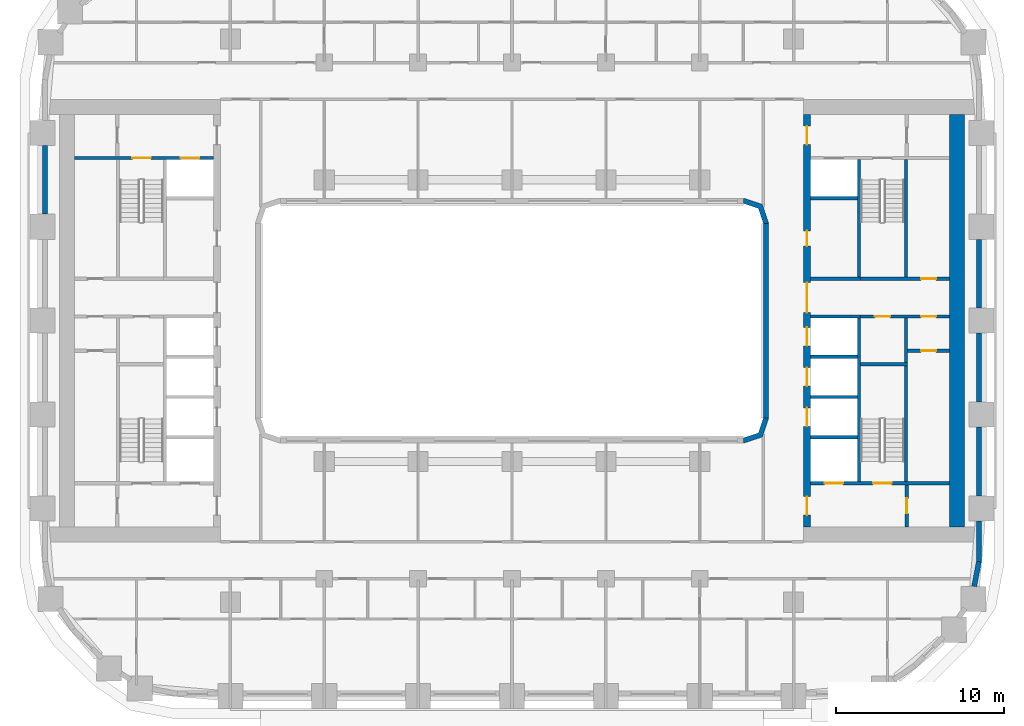
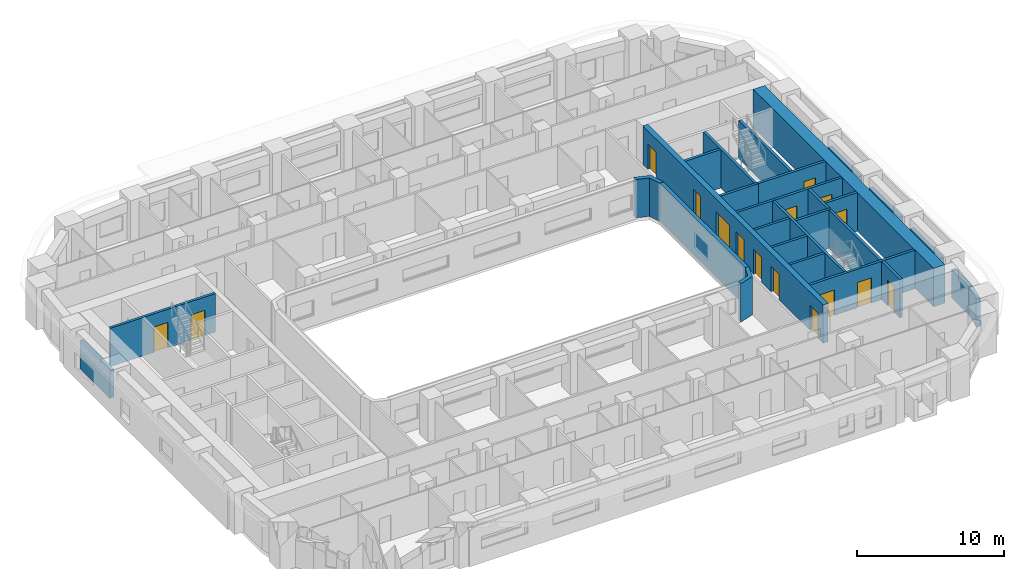
# One storey, part 6 of 21: 29 walls, 16 doors, 16 openings.
"""IFC4 building model written with IfcOpenShell, lengths in metres."""

from ifc_helpers import new_model, si_unit, direction, frame, frame_2d, origin, place, context, subcontext, project, spatial, polyline, rectangle, outline, extrude, material, layer, layer_set, type_object, element, fill, save


model = new_model("IFC4")

# Units and contexts
model_context = context("Model", 3, precision=1e-05, world=origin(), true_north=direction((0.0, 1.0)))
body_context = subcontext(model_context, "Body", "Model", "MODEL_VIEW")
ifc_project = project(units=[si_unit("LENGTHUNIT", "METRE"), si_unit("AREAUNIT", "SQUARE_METRE"), si_unit("VOLUMEUNIT", "CUBIC_METRE"), si_unit("PLANEANGLEUNIT", "RADIAN"), si_unit("MASSUNIT", "GRAM", prefix="KILO")], contexts=[model_context])

# Site, building, storey
site_placement = place(None, origin())
site = spatial("IfcSite", under=ifc_project, at=site_placement, CompositionType="ELEMENT")
building_placement = place(site_placement, origin())
building = spatial("IfcBuilding", under=site, at=building_placement, Name="Kiln Ring Residences", CompositionType="ELEMENT")
storey_placement = place(building_placement, frame((0.0, 0.0, 34.0)))
storey = spatial("IfcBuildingStorey", under=building, at=storey_placement, Name="L07", CompositionType="ELEMENT", Elevation=34.0)

# Wall
ifc_material_1 = material(Name="Gypsum board on steel studs", Category="steel")
ifc_layer_1 = layer(ifc_material_1, 0.199951171875)
ifc_layer_set_1 = layer_set([ifc_layer_1], Name="CORE-PARTITION-200")
wall_type_1 = type_object("IfcWallType", Name="CORE-PARTITION-200", PredefinedType="PARTITIONING", material=ifc_layer_set_1)
wall_1_placement = place(storey_placement, frame((23.5, -2.5, 0.0), z_axis=(0.0, 0.0, 1.0), x_axis=(0.0, 1.0, 0.0)))
element("IfcWall", 1, at=wall_1_placement, inside=storey, type_object=wall_type_1, Name="Core partition east L07 1", PredefinedType="PARTITIONING", context=body_context, shape_type="SweptSolid", body=[
    extrude(rectangle(XDim=2.64990234375, YDim=0.199951171875, at=frame_2d((1.324951171875, 0.0))), origin(), (0.0, 0.0, 1.0), 3.199951171875),
])

# Wall, openings, doors
wall_2_placement = place(storey_placement, frame((20.800048828125, 0.25, 0.0), z_axis=(0.0, 0.0, 1.0), x_axis=(1.0, 0.0, 0.0)))
wall_2 = element("IfcWall", 2, at=wall_2_placement, inside=storey, type_object=wall_type_1, Name="Core partition east L07 2", PredefinedType="PARTITIONING", context=body_context, shape_type="SweptSolid", body=[
    extrude(rectangle(XDim=5.300048828125, YDim=0.199951171875, at=frame_2d((2.64990234375, 0.0))), origin(), (0.0, 0.0, 1.0), 3.199951171875),
])
opening_1_placement = place(wall_2_placement, frame((0.85009765625, 0.0, 0.0)))
opening_1 = element("IfcOpeningElement", 3, at=opening_1_placement, cuts=wall_2, Name="Opening L07-CE14", PredefinedType="OPENING", context=body_context, shape_type="SweptSolid", body=[
    extrude(rectangle(XDim=0.89990234375, YDim=2.10009765625, at=frame_2d((0.449951171875, 1.050048828125))), frame((0.0, 0.10986328125, 0.0), z_axis=(0.0, -1.0, 0.0), x_axis=(1.0, 0.0, 0.0)), (0.0, 0.0, 1.0), 0.219970703125),
])
opening_2_placement = place(wall_2_placement, frame((3.60009765625, 0.0, 0.0)))
opening_2 = element("IfcOpeningElement", 4, at=opening_2_placement, cuts=wall_2, Name="Opening L07-CE16", PredefinedType="OPENING", context=body_context, shape_type="SweptSolid", body=[
    extrude(rectangle(XDim=0.89990234375, YDim=2.10009765625, at=frame_2d((0.449951171875, 1.050048828125))), frame((0.0, 0.10986328125, 0.0), z_axis=(0.0, -1.0, 0.0), x_axis=(1.0, 0.0, 0.0)), (0.0, 0.0, 1.0), 0.219970703125),
])
ifc_material_2 = material(Name="Steel door leaf", Category="steel")
door_type_1 = type_object("IfcDoorType", Name="CORE-DOOR-ROOM", OperationType="SINGLE_SWING_LEFT", PredefinedType="DOOR", material=ifc_material_2)
door_1_placement = place(opening_1_placement, origin())
door_1 = element("IfcDoor", 5, at=door_1_placement, inside=storey, type_object=door_type_1, Name="Linen store L07-CE14", OperationType="SINGLE_SWING_LEFT", OverallHeight=2.10009765625, OverallWidth=0.89990234375, PredefinedType="DOOR", context=body_context, shape_type="SweptSolid", body=[
    extrude(rectangle(XDim=0.89990234375, YDim=2.10009765625, at=frame_2d((0.449951171875, 1.050048828125))), frame((0.0, 0.02490234375, 0.0), z_axis=(0.0, -1.0, 0.0), x_axis=(1.0, 0.0, 0.0)), (0.0, 0.0, 1.0), 0.050048828125),
])
fill(opening_1, door_1)
door_2_placement = place(opening_2_placement, origin())
door_2 = element("IfcDoor", 6, at=door_2_placement, inside=storey, type_object=door_type_1, Name="Pump and valve room L07-CE16", OperationType="SINGLE_SWING_LEFT", OverallHeight=2.10009765625, OverallWidth=0.89990234375, PredefinedType="DOOR", context=body_context, shape_type="SweptSolid", body=[
    extrude(rectangle(XDim=0.89990234375, YDim=2.10009765625, at=frame_2d((0.449951171875, 1.050048828125))), frame((0.0, 0.02490234375, 0.0), z_axis=(0.0, -1.0, 0.0), x_axis=(1.0, 0.0, 0.0)), (0.0, 0.0, 1.0), 0.050048828125),
])
fill(opening_2, door_2)

# Wall, opening, door
wall_3_placement = place(storey_placement, frame((23.550048828125, -12.300048828125, 0.0), z_axis=(0.0, 0.0, 1.0), x_axis=(0.0, 1.0, 0.0)))
wall_3 = element("IfcWall", 7, at=wall_3_placement, inside=storey, type_object=wall_type_1, Name="Core partition east L07 4", PredefinedType="PARTITIONING", context=body_context, shape_type="SweptSolid", body=[
    extrude(rectangle(XDim=2.5, YDim=0.199951171875, at=frame_2d((1.25, 0.0))), origin(), (0.0, 0.0, 1.0), 3.199951171875),
])
opening_3_placement = place(wall_3_placement, frame((0.800048828125, 0.0, 0.0)))
opening_3 = element("IfcOpeningElement", 8, at=opening_3_placement, cuts=wall_3, Name="Opening L07-CE10", PredefinedType="OPENING", context=body_context, shape_type="SweptSolid", body=[
    extrude(rectangle(XDim=0.89990234375, YDim=2.10009765625, at=frame_2d((0.449951171875, 1.050048828125))), frame((0.0, 0.10986328125, 0.0), z_axis=(0.0, -1.0, 0.0), x_axis=(1.0, 0.0, 0.0)), (0.0, 0.0, 1.0), 0.219970703125),
])
door_3_placement = place(opening_3_placement, origin())
door_3 = element("IfcDoor", 9, at=door_3_placement, inside=storey, type_object=door_type_1, Name="Store L07-CE10", OperationType="SINGLE_SWING_LEFT", OverallHeight=2.10009765625, OverallWidth=0.89990234375, PredefinedType="DOOR", context=body_context, shape_type="SweptSolid", body=[
    extrude(rectangle(XDim=0.89990234375, YDim=2.10009765625, at=frame_2d((0.449951171875, 1.050048828125))), frame((0.0, 0.02490234375, 0.0), z_axis=(0.0, -1.0, 0.0), x_axis=(1.0, 0.0, 0.0)), (0.0, 0.0, 1.0), 0.050048828125),
])
fill(opening_3, door_3)

wall_4_placement = place(storey_placement, frame((23.60009765625, -1.800048828125, 0.0), z_axis=(0.0, 0.0, 1.0), x_axis=(1.0, 0.0, 0.0)))
wall_4 = element("IfcWall", 10, at=wall_4_placement, inside=storey, type_object=wall_type_1, Name="Core partition east L07 5", PredefinedType="PARTITIONING", context=body_context, shape_type="SweptSolid", body=[
    extrude(rectangle(XDim=2.5, YDim=0.199951171875, at=frame_2d((1.25, 0.0))), origin(), (0.0, 0.0, 1.0), 3.199951171875),
])
opening_4_placement = place(wall_4_placement, frame((0.800048828125, 0.0, 0.0)))
opening_4 = element("IfcOpeningElement", 11, at=opening_4_placement, cuts=wall_4, Name="Opening L07-CE15", PredefinedType="OPENING", context=body_context, shape_type="SweptSolid", body=[
    extrude(rectangle(XDim=0.89990234375, YDim=2.10009765625, at=frame_2d((0.449951171875, 1.050048828125))), frame((0.0, 0.10986328125, 0.0), z_axis=(0.0, -1.0, 0.0), x_axis=(1.0, 0.0, 0.0)), (0.0, 0.0, 1.0), 0.219970703125),
])
door_4_placement = place(opening_4_placement, origin())
door_4 = element("IfcDoor", 12, at=door_4_placement, inside=storey, type_object=door_type_1, Name="Pump and valve room L07-CE15", OperationType="SINGLE_SWING_LEFT", OverallHeight=2.10009765625, OverallWidth=0.89990234375, PredefinedType="DOOR", context=body_context, shape_type="SweptSolid", body=[
    extrude(rectangle(XDim=0.89990234375, YDim=2.10009765625, at=frame_2d((0.449951171875, 1.050048828125))), frame((0.0, 0.02490234375, 0.0), z_axis=(0.0, -1.0, 0.0), x_axis=(1.0, 0.0, 0.0)), (0.0, 0.0, 1.0), 0.050048828125),
])
fill(opening_4, door_4)

# Walls
ifc_material_3 = material(Name="Gypsum shaft wall system")
ifc_layer_2 = layer(ifc_material_3, 0.199951171875)
ifc_layer_set_2 = layer_set([ifc_layer_2], Name="CORE-SHAFT-WALL-200")
wall_type_2 = type_object("IfcWallType", Name="CORE-SHAFT-WALL-200", PredefinedType="PARTITIONING", material=ifc_layer_set_2)
for number, where, z_axis, x_axis, name in (
    (13, (17.800048828125, -6.949951171875, 0.0), (0.0, 0.0, 1.0), (1.0, 0.0, 0.0), "Core partition east L07 6"),
    (14, (17.800048828125, -4.550048828125, 0.0), (0.0, 0.0, 1.0), (1.0, 0.0, 0.0), "Core partition east L07 7"),
    (15, (17.800048828125, -2.14990234375, 0.0), (0.0, 0.0, 1.0), (1.0, 0.0, 0.0), "Core partition east L07 8"),
):
    element("IfcWall", number, at=place(storey_placement, frame(where, z_axis=z_axis, x_axis=x_axis)), inside=storey, type_object=wall_type_2, Name=name, PredefinedType="PARTITIONING", context=body_context, shape_type="SweptSolid", body=[
        extrude(rectangle(XDim=2.800048828125, YDim=0.199951171875, at=frame_2d((1.39990234375, 0.0))), origin(), (0.0, 0.0, 1.0), 3.199951171875),
    ])
for number, where, z_axis, x_axis, name in (
    (16, (17.800048828125, 0.25, 0.0), (0.0, 0.0, 1.0), (1.0, 0.0, 0.0), "Core partition east L07 9"),
    (17, (17.800048828125, 2.5, 0.0), (0.0, 0.0, 1.0), (1.0, 0.0, 0.0), "Core partition east L07 10"),
):
    element("IfcWall", number, at=place(storey_placement, frame(where, z_axis=z_axis, x_axis=x_axis)), inside=storey, type_object=wall_type_2, Name=name, PredefinedType="PARTITIONING", context=body_context, shape_type="SweptSolid", body=[
        extrude(rectangle(XDim=3.0, YDim=0.199951171875, at=frame_2d((1.5, 0.0))), origin(), (0.0, 0.0, 1.0), 3.199951171875),
    ])
wall_5_placement = place(storey_placement, frame((17.800048828125, 7.300048828125, 0.0), z_axis=(0.0, 0.0, 1.0), x_axis=(1.0, 0.0, 0.0)))
element("IfcWall", 18, at=wall_5_placement, inside=storey, type_object=wall_type_2, Name="Core partition east L07 11", PredefinedType="PARTITIONING", context=body_context, shape_type="SweptSolid", body=[
    extrude(rectangle(XDim=2.800048828125, YDim=0.199951171875, at=frame_2d((1.39990234375, 0.0))), origin(), (0.0, 0.0, 1.0), 3.199951171875),
])

# Wall, openings, doors
ifc_material_4 = material(Name="Concrete C40/50", Category="concrete")
ifc_layer_3 = layer(ifc_material_4, 0.199951171875)
ifc_layer_set_3 = layer_set([ifc_layer_3], Name="CORE-WALL-RC200")
wall_type_3 = type_object("IfcWallType", Name="CORE-WALL-RC200", PredefinedType="SHEAR", material=ifc_layer_set_3)
wall_6_placement = place(storey_placement, frame((-17.800048828125, 9.699951171875, 0.0), z_axis=(0.0, 0.0, 1.0), x_axis=(-1.0, 0.0, 0.0)))
wall_6 = element("IfcWall", 19, at=wall_6_placement, inside=storey, type_object=wall_type_3, Name="Core wall west L07 9", PredefinedType="SHEAR", context=body_context, shape_type="SweptSolid", body=[
    extrude(rectangle(XDim=8.300048828125, YDim=0.199951171875, at=frame_2d((4.14990234375, 0.0))), origin(), (0.0, 0.0, 1.0), 3.199951171875),
])
opening_5_placement = place(wall_6_placement, frame((0.85009765625, 0.0, 0.0)))
opening_5 = element("IfcOpeningElement", 20, at=opening_5_placement, cuts=wall_6, Name="Opening L07-CW06", PredefinedType="OPENING", context=body_context, shape_type="SweptSolid", body=[
    extrude(rectangle(XDim=1.10009765625, YDim=2.10009765625, at=frame_2d((0.550048828125, 1.050048828125))), frame((0.0, 0.10986328125, 0.0), z_axis=(0.0, -1.0, 0.0), x_axis=(1.0, 0.0, 0.0)), (0.0, 0.0, 1.0), 0.219970703125),
])
opening_6_placement = place(wall_6_placement, frame((3.75, 0.0, 0.0)))
opening_6 = element("IfcOpeningElement", 21, at=opening_6_placement, cuts=wall_6, Name="Opening L07-CW11", PredefinedType="OPENING", context=body_context, shape_type="SweptSolid", body=[
    extrude(rectangle(XDim=1.10009765625, YDim=2.10009765625, at=frame_2d((0.550048828125, 1.050048828125))), frame((0.0, 0.10986328125, 0.0), z_axis=(0.0, -1.0, 0.0), x_axis=(1.0, 0.0, 0.0)), (0.0, 0.0, 1.0), 0.219970703125),
])
ifc_material_5 = material(Name="Steel door leaf", Category="steel")
door_type_2 = type_object("IfcDoorType", Name="CORE-DOOR-LD", OperationType="DOUBLE_DOOR_SLIDING", PredefinedType="DOOR", material=ifc_material_5)
door_5_placement = place(opening_5_placement, origin())
door_5 = element("IfcDoor", 22, at=door_5_placement, inside=storey, type_object=door_type_2, Name="LD W-FF L07-CW06", OperationType="DOUBLE_DOOR_SLIDING", OverallHeight=2.10009765625, OverallWidth=1.10009765625, PredefinedType="DOOR", context=body_context, shape_type="SweptSolid", body=[
    extrude(rectangle(XDim=1.10009765625, YDim=2.10009765625, at=frame_2d((0.550048828125, 1.050048828125))), frame((0.0, 0.02490234375, 0.0), z_axis=(0.0, -1.0, 0.0), x_axis=(1.0, 0.0, 0.0)), (0.0, 0.0, 1.0), 0.050048828125),
])
fill(opening_5, door_5)
ifc_material_6 = material(Name="Steel door leaf", Category="steel")
door_type_3 = type_object("IfcDoorType", Name="CORE-DOOR-STAIR", OperationType="SINGLE_SWING_LEFT", PredefinedType="DOOR", material=ifc_material_6)
door_6_placement = place(opening_6_placement, origin())
door_6 = element("IfcDoor", 23, at=door_6_placement, inside=storey, type_object=door_type_3, Name="Stair W-STN L07-CW11", OperationType="SINGLE_SWING_LEFT", OverallHeight=2.10009765625, OverallWidth=1.10009765625, PredefinedType="DOOR", context=body_context, shape_type="SweptSolid", body=[
    extrude(rectangle(XDim=1.10009765625, YDim=2.10009765625, at=frame_2d((0.550048828125, 1.050048828125))), frame((0.0, 0.02490234375, 0.0), z_axis=(0.0, -1.0, 0.0), x_axis=(1.0, 0.0, 0.0)), (0.0, 0.0, 1.0), 0.050048828125),
])
fill(opening_6, door_6)

# Walls
wall_7_placement = place(storey_placement, frame((20.699951171875, 2.60009765625, 0.0), z_axis=(0.0, 0.0, 1.0), x_axis=(0.0, 1.0, 0.0)))
element("IfcWall", 24, at=wall_7_placement, inside=storey, type_object=wall_type_3, Name="Core wall east L07 1", PredefinedType="SHEAR", context=body_context, shape_type="SweptSolid", body=[
    extrude(rectangle(XDim=7.0, YDim=0.199951171875, at=frame_2d((3.5, 0.0))), origin(), (0.0, 0.0, 1.0), 3.199951171875),
])
wall_8_placement = place(storey_placement, frame((20.699951171875, -9.60009765625, 0.0), z_axis=(0.0, 0.0, 1.0), x_axis=(0.0, 1.0, 0.0)))
element("IfcWall", 25, at=wall_8_placement, inside=storey, type_object=wall_type_3, Name="Core wall east L07 2", PredefinedType="SHEAR", context=body_context, shape_type="SweptSolid", body=[
    extrude(rectangle(XDim=9.75, YDim=0.199951171875, at=frame_2d((4.875, 0.0))), origin(), (0.0, 0.0, 1.0), 3.199951171875),
])

# Wall, opening, door
wall_9_placement = place(storey_placement, frame((20.800048828125, 2.5, 0.0), z_axis=(0.0, 0.0, 1.0), x_axis=(1.0, 0.0, 0.0)))
wall_9 = element("IfcWall", 26, at=wall_9_placement, inside=storey, type_object=wall_type_3, Name="Core wall east L07 3", PredefinedType="SHEAR", context=body_context, shape_type="SweptSolid", body=[
    extrude(rectangle(XDim=5.300048828125, YDim=0.199951171875, at=frame_2d((2.64990234375, 0.0))), origin(), (0.0, 0.0, 1.0), 3.199951171875),
])
opening_7_placement = place(wall_9_placement, frame((3.60009765625, 0.0, 0.0)))
opening_7 = element("IfcOpeningElement", 27, at=opening_7_placement, cuts=wall_9, Name="Opening L07-CE17", PredefinedType="OPENING", context=body_context, shape_type="SweptSolid", body=[
    extrude(rectangle(XDim=0.89990234375, YDim=2.10009765625, at=frame_2d((0.449951171875, 1.050048828125))), frame((0.0, 0.10986328125, 0.0), z_axis=(0.0, -1.0, 0.0), x_axis=(1.0, 0.0, 0.0)), (0.0, 0.0, 1.0), 0.219970703125),
])
door_7_placement = place(opening_7_placement, origin())
door_7 = element("IfcDoor", 28, at=door_7_placement, inside=storey, type_object=door_type_1, Name="Electrical plant room L07-CE17", OperationType="SINGLE_SWING_LEFT", OverallHeight=2.10009765625, OverallWidth=0.89990234375, PredefinedType="DOOR", context=body_context, shape_type="SweptSolid", body=[
    extrude(rectangle(XDim=0.89990234375, YDim=2.10009765625, at=frame_2d((0.449951171875, 1.050048828125))), frame((0.0, 0.02490234375, 0.0), z_axis=(0.0, -1.0, 0.0), x_axis=(1.0, 0.0, 0.0)), (0.0, 0.0, 1.0), 0.050048828125),
])
fill(opening_7, door_7)

# Wall, openings, doors
wall_10_placement = place(storey_placement, frame((17.800048828125, -9.699951171875, 0.0), z_axis=(0.0, 0.0, 1.0), x_axis=(1.0, 0.0, 0.0)))
wall_10 = element("IfcWall", 29, at=wall_10_placement, inside=storey, type_object=wall_type_3, Name="Core wall east L07 8", PredefinedType="SHEAR", context=body_context, shape_type="SweptSolid", body=[
    extrude(rectangle(XDim=8.300048828125, YDim=0.199951171875, at=frame_2d((4.14990234375, 0.0))), origin(), (0.0, 0.0, 1.0), 3.199951171875),
])
opening_8_placement = place(wall_10_placement, frame((0.85009765625, 0.0, 0.0)))
opening_8 = element("IfcOpeningElement", 30, at=opening_8_placement, cuts=wall_10, Name="Opening L07-CE01", PredefinedType="OPENING", context=body_context, shape_type="SweptSolid", body=[
    extrude(rectangle(XDim=1.10009765625, YDim=2.10009765625, at=frame_2d((0.550048828125, 1.050048828125))), frame((0.0, 0.10986328125, 0.0), z_axis=(0.0, -1.0, 0.0), x_axis=(1.0, 0.0, 0.0)), (0.0, 0.0, 1.0), 0.219970703125),
])
opening_9_placement = place(wall_10_placement, frame((3.75, 0.0, 0.0)))
opening_9 = element("IfcOpeningElement", 31, at=opening_9_placement, cuts=wall_10, Name="Opening L07-CE12", PredefinedType="OPENING", context=body_context, shape_type="SweptSolid", body=[
    extrude(rectangle(XDim=1.10009765625, YDim=2.10009765625, at=frame_2d((0.550048828125, 1.050048828125))), frame((0.0, 0.10986328125, 0.0), z_axis=(0.0, -1.0, 0.0), x_axis=(1.0, 0.0, 0.0)), (0.0, 0.0, 1.0), 0.219970703125),
])
door_8_placement = place(opening_8_placement, origin())
door_8 = element("IfcDoor", 32, at=door_8_placement, inside=storey, type_object=door_type_2, Name="LD E-SV L07-CE01", OperationType="DOUBLE_DOOR_SLIDING", OverallHeight=2.10009765625, OverallWidth=1.10009765625, PredefinedType="DOOR", context=body_context, shape_type="SweptSolid", body=[
    extrude(rectangle(XDim=1.10009765625, YDim=2.10009765625, at=frame_2d((0.550048828125, 1.050048828125))), frame((0.0, 0.02490234375, 0.0), z_axis=(0.0, -1.0, 0.0), x_axis=(1.0, 0.0, 0.0)), (0.0, 0.0, 1.0), 0.050048828125),
])
fill(opening_8, door_8)
door_9_placement = place(opening_9_placement, origin())
door_9 = element("IfcDoor", 33, at=door_9_placement, inside=storey, type_object=door_type_3, Name="Stair E-STS L07-CE12", OperationType="SINGLE_SWING_RIGHT", OverallHeight=2.10009765625, OverallWidth=1.10009765625, PredefinedType="DOOR", context=body_context, shape_type="SweptSolid", body=[
    extrude(rectangle(XDim=1.10009765625, YDim=2.10009765625, at=frame_2d((0.550048828125, 1.050048828125))), frame((0.0, 0.02490234375, 0.0), z_axis=(0.0, -1.0, 0.0), x_axis=(1.0, 0.0, 0.0)), (0.0, 0.0, 1.0), 0.050048828125),
])
fill(opening_9, door_9)

# Walls
wall_11_placement = place(storey_placement, frame((23.5, 2.60009765625, 0.0), z_axis=(0.0, 0.0, 1.0), x_axis=(0.0, 1.0, 0.0)))
element("IfcWall", 34, at=wall_11_placement, inside=storey, type_object=wall_type_3, Name="Core wall east L07 10", PredefinedType="SHEAR", context=body_context, shape_type="SweptSolid", body=[
    extrude(rectangle(XDim=7.0, YDim=0.199951171875, at=frame_2d((3.5, 0.0))), origin(), (0.0, 0.0, 1.0), 3.199951171875),
])
wall_12_placement = place(storey_placement, frame((23.5, -9.60009765625, 0.0), z_axis=(0.0, 0.0, 1.0), x_axis=(0.0, 1.0, 0.0)))
element("IfcWall", 35, at=wall_12_placement, inside=storey, type_object=wall_type_3, Name="Core wall east L07 11", PredefinedType="SHEAR", context=body_context, shape_type="SweptSolid", body=[
    extrude(rectangle(XDim=6.900146484375, YDim=0.199951171875, at=frame_2d((3.4501953125, 0.0))), origin(), (0.0, 0.0, 1.0), 3.199951171875),
])
wall_13_placement = place(storey_placement, frame((20.800048828125, -2.60009765625, 0.0), z_axis=(0.0, 0.0, 1.0), x_axis=(1.0, 0.0, 0.0)))
element("IfcWall", 36, at=wall_13_placement, inside=storey, type_object=wall_type_3, Name="Core wall east L07 12", PredefinedType="SHEAR", context=body_context, shape_type="SweptSolid", body=[
    extrude(rectangle(XDim=2.800048828125, YDim=0.199951171875, at=frame_2d((1.39990234375, 0.0))), origin(), (0.0, 0.0, 1.0), 3.199951171875),
])

# Wall, openings, doors
ifc_material_7 = material(Name="Concrete C60/75", Category="concrete")
ifc_layer_4 = layer(ifc_material_7, 0.39990234375)
ifc_layer_set_4 = layer_set([ifc_layer_4], Name="CORE-WALL-RC400")
wall_type_4 = type_object("IfcWallType", Name="CORE-WALL-RC400", PredefinedType="SHEAR", material=ifc_layer_set_4)
wall_14_placement = place(storey_placement, frame((17.60009765625, -12.300048828125, 0.0), z_axis=(0.0, 0.0, 1.0), x_axis=(0.0, 1.0, 0.0)))
wall_14 = element("IfcWall", 37, at=wall_14_placement, inside=storey, type_object=wall_type_4, Name="Core wall east L07 6", PredefinedType="SHEAR", context=body_context, shape_type="SweptSolid", body=[
    extrude(rectangle(XDim=24.60009765625, YDim=0.39990234375, at=frame_2d((12.300048828125, 0.0))), origin(), (0.0, 0.0, 1.0), 3.199951171875),
])
opening_10_placement = place(wall_14_placement, frame((6.0, 0.0, 0.0)))
opening_10 = element("IfcOpeningElement", 38, at=opening_10_placement, cuts=wall_14, Name="Opening L07-CE02", PredefinedType="OPENING", context=body_context, shape_type="SweptSolid", body=[
    extrude(rectangle(XDim=1.10009765625, YDim=2.10009765625, at=frame_2d((0.550048828125, 1.050048828125))), frame((0.0, 0.2099609375, 0.0), z_axis=(0.0, -1.0, 0.0), x_axis=(1.0, 0.0, 0.0)), (0.0, 0.0, 1.0), 0.419921875),
])
opening_11_placement = place(wall_14_placement, frame((8.39990234375, 0.0, 0.0)))
opening_11 = element("IfcOpeningElement", 39, at=opening_11_placement, cuts=wall_14, Name="Opening L07-CE03", PredefinedType="OPENING", context=body_context, shape_type="SweptSolid", body=[
    extrude(rectangle(XDim=1.10009765625, YDim=2.10009765625, at=frame_2d((0.550048828125, 1.050048828125))), frame((0.0, 0.2099609375, 0.0), z_axis=(0.0, -1.0, 0.0), x_axis=(1.0, 0.0, 0.0)), (0.0, 0.0, 1.0), 0.419921875),
])
opening_12_placement = place(wall_14_placement, frame((10.800048828125, 0.0, 0.0)))
opening_12 = element("IfcOpeningElement", 40, at=opening_12_placement, cuts=wall_14, Name="Opening L07-CE04", PredefinedType="OPENING", context=body_context, shape_type="SweptSolid", body=[
    extrude(rectangle(XDim=1.10009765625, YDim=2.10009765625, at=frame_2d((0.550048828125, 1.050048828125))), frame((0.0, 0.2099609375, 0.0), z_axis=(0.0, -1.0, 0.0), x_axis=(1.0, 0.0, 0.0)), (0.0, 0.0, 1.0), 0.419921875),
])
opening_13_placement = place(wall_14_placement, frame((16.75, 0.0, 0.0)))
opening_13 = element("IfcOpeningElement", 41, at=opening_13_placement, cuts=wall_14, Name="Opening L07-CE05", PredefinedType="OPENING", context=body_context, shape_type="SweptSolid", body=[
    extrude(rectangle(XDim=0.89990234375, YDim=2.10009765625, at=frame_2d((0.449951171875, 1.050048828125))), frame((0.0, 0.2099609375, 0.0), z_axis=(0.0, -1.0, 0.0), x_axis=(1.0, 0.0, 0.0)), (0.0, 0.0, 1.0), 0.419921875),
])
opening_14_placement = place(wall_14_placement, frame((22.800048828125, 0.0, 0.0)))
opening_14 = element("IfcOpeningElement", 42, at=opening_14_placement, cuts=wall_14, Name="Opening L07-CE07", PredefinedType="OPENING", context=body_context, shape_type="SweptSolid", body=[
    extrude(rectangle(XDim=1.10009765625, YDim=2.10009765625, at=frame_2d((0.550048828125, 1.050048828125))), frame((0.0, 0.2099609375, 0.0), z_axis=(0.0, -1.0, 0.0), x_axis=(1.0, 0.0, 0.0)), (0.0, 0.0, 1.0), 0.419921875),
])
opening_15_placement = place(wall_14_placement, frame((0.699951171875, 0.0, 0.0)))
opening_15 = element("IfcOpeningElement", 43, at=opening_15_placement, cuts=wall_14, Name="Opening L07-CE08", PredefinedType="OPENING", context=body_context, shape_type="SweptSolid", body=[
    extrude(rectangle(XDim=1.10009765625, YDim=2.10009765625, at=frame_2d((0.550048828125, 1.050048828125))), frame((0.0, 0.2099609375, 0.0), z_axis=(0.0, -1.0, 0.0), x_axis=(1.0, 0.0, 0.0)), (0.0, 0.0, 1.0), 0.419921875),
])
opening_16_placement = place(wall_14_placement, frame((12.77490234375, 0.0, 0.0)))
opening_16 = element("IfcOpeningElement", 44, at=opening_16_placement, cuts=wall_14, Name="Opening L07-CE13", PredefinedType="OPENING", context=body_context, shape_type="SweptSolid", body=[
    extrude(rectangle(XDim=1.800048828125, YDim=2.10009765625, at=frame_2d((0.89990234375, 1.050048828125))), frame((0.0, 0.2099609375, 0.0), z_axis=(0.0, -1.0, 0.0), x_axis=(1.0, 0.0, 0.0)), (0.0, 0.0, 1.0), 0.419921875),
])
door_10_placement = place(opening_10_placement, origin())
door_10 = element("IfcDoor", 45, at=door_10_placement, inside=storey, type_object=door_type_2, Name="LD E-L1 L07-CE02", OperationType="DOUBLE_DOOR_SLIDING", OverallHeight=2.10009765625, OverallWidth=1.10009765625, PredefinedType="DOOR", context=body_context, shape_type="SweptSolid", body=[
    extrude(rectangle(XDim=1.10009765625, YDim=2.10009765625, at=frame_2d((0.550048828125, 1.050048828125))), frame((0.0, 0.02490234375, 0.0), z_axis=(0.0, -1.0, 0.0), x_axis=(1.0, 0.0, 0.0)), (0.0, 0.0, 1.0), 0.050048828125),
])
fill(opening_10, door_10)
door_11_placement = place(opening_11_placement, origin())
door_11 = element("IfcDoor", 46, at=door_11_placement, inside=storey, type_object=door_type_2, Name="LD E-L2 L07-CE03", OperationType="DOUBLE_DOOR_SLIDING", OverallHeight=2.10009765625, OverallWidth=1.10009765625, PredefinedType="DOOR", context=body_context, shape_type="SweptSolid", body=[
    extrude(rectangle(XDim=1.10009765625, YDim=2.10009765625, at=frame_2d((0.550048828125, 1.050048828125))), frame((0.0, 0.02490234375, 0.0), z_axis=(0.0, -1.0, 0.0), x_axis=(1.0, 0.0, 0.0)), (0.0, 0.0, 1.0), 0.050048828125),
])
fill(opening_11, door_11)
door_12_placement = place(opening_12_placement, origin())
door_12 = element("IfcDoor", 47, at=door_12_placement, inside=storey, type_object=door_type_2, Name="LD E-L3 L07-CE04", OperationType="DOUBLE_DOOR_SLIDING", OverallHeight=2.10009765625, OverallWidth=1.10009765625, PredefinedType="DOOR", context=body_context, shape_type="SweptSolid", body=[
    extrude(rectangle(XDim=1.10009765625, YDim=2.10009765625, at=frame_2d((0.550048828125, 1.050048828125))), frame((0.0, 0.02490234375, 0.0), z_axis=(0.0, -1.0, 0.0), x_axis=(1.0, 0.0, 0.0)), (0.0, 0.0, 1.0), 0.050048828125),
])
fill(opening_12, door_12)
ifc_material_8 = material(Name="Steel door leaf", Category="steel")
door_type_4 = type_object("IfcDoorType", Name="CORE-DOOR-LOBBY", OperationType="SINGLE_SWING_LEFT", PredefinedType="DOOR", material=ifc_material_8)
door_13_placement = place(opening_14_placement, origin())
door_13 = element("IfcDoor", 48, at=door_13_placement, inside=storey, type_object=door_type_4, Name="FFL L07-CE07", OperationType="SINGLE_SWING_LEFT", OverallHeight=2.10009765625, OverallWidth=1.10009765625, PredefinedType="DOOR", context=body_context, shape_type="SweptSolid", body=[
    extrude(rectangle(XDim=1.10009765625, YDim=2.10009765625, at=frame_2d((0.550048828125, 1.050048828125))), frame((0.0, 0.02490234375, 0.0), z_axis=(0.0, -1.0, 0.0), x_axis=(1.0, 0.0, 0.0)), (0.0, 0.0, 1.0), 0.050048828125),
])
fill(opening_14, door_13)
door_14_placement = place(opening_15_placement, origin())
door_14 = element("IfcDoor", 49, at=door_14_placement, inside=storey, type_object=door_type_4, Name="SVL L07-CE08", OperationType="SINGLE_SWING_RIGHT", OverallHeight=2.10009765625, OverallWidth=1.10009765625, PredefinedType="DOOR", context=body_context, shape_type="SweptSolid", body=[
    extrude(rectangle(XDim=1.10009765625, YDim=2.10009765625, at=frame_2d((0.550048828125, 1.050048828125))), frame((0.0, 0.02490234375, 0.0), z_axis=(0.0, -1.0, 0.0), x_axis=(1.0, 0.0, 0.0)), (0.0, 0.0, 1.0), 0.050048828125),
])
fill(opening_15, door_14)
ifc_material_9 = material(Name="Steel door leaf", Category="steel")
door_type_5 = type_object("IfcDoorType", Name="CORE-DOOR-PASS", OperationType="DOUBLE_DOOR_SINGLE_SWING", PredefinedType="DOOR", material=ifc_material_9)
door_15_placement = place(opening_16_placement, origin())
door_15 = element("IfcDoor", 50, at=door_15_placement, inside=storey, type_object=door_type_5, Name="Core passage L07-CE13", OperationType="DOUBLE_DOOR_SINGLE_SWING", OverallHeight=2.10009765625, OverallWidth=1.800048828125, PredefinedType="DOOR", context=body_context, shape_type="SweptSolid", body=[
    extrude(rectangle(XDim=1.800048828125, YDim=2.10009765625, at=frame_2d((0.89990234375, 1.050048828125))), frame((0.0, 0.02490234375, 0.0), z_axis=(0.0, -1.0, 0.0), x_axis=(1.0, 0.0, 0.0)), (0.0, 0.0, 1.0), 0.050048828125),
])
fill(opening_16, door_15)
door_16_placement = place(opening_13_placement, origin())
door_16 = element("IfcDoor", 51, at=door_16_placement, inside=storey, type_object=door_type_1, Name="Goods store L07-CE05", OperationType="SINGLE_SWING_RIGHT", OverallHeight=2.10009765625, OverallWidth=0.89990234375, PredefinedType="DOOR", context=body_context, shape_type="SweptSolid", body=[
    extrude(rectangle(XDim=0.89990234375, YDim=2.10009765625, at=frame_2d((0.449951171875, 1.050048828125))), frame((0.0, 0.02490234375, 0.0), z_axis=(0.0, -1.0, 0.0), x_axis=(1.0, 0.0, 0.0)), (0.0, 0.0, 1.0), 0.050048828125),
])
fill(opening_13, door_16)

# Walls
ifc_material_10 = material(Name="Concrete C60/75", Category="concrete")
ifc_layer_5 = layer(ifc_material_10, 0.89990234375)
ifc_layer_set_5 = layer_set([ifc_layer_5], Name="CORE-WALL-RC900")
wall_type_5 = type_object("IfcWallType", Name="CORE-WALL-RC900", PredefinedType="SHEAR", material=ifc_layer_set_5)
wall_15_placement = place(storey_placement, frame((26.550048828125, -12.300048828125, 0.0), z_axis=(0.0, 0.0, 1.0), x_axis=(0.0, 1.0, 0.0)))
element("IfcWall", 52, at=wall_15_placement, inside=storey, type_object=wall_type_5, Name="Core wall east L07 7", PredefinedType="SHEAR", context=body_context, shape_type="SweptSolid", body=[
    extrude(rectangle(XDim=24.60009765625, YDim=0.89990234375, at=frame_2d((12.300048828125, 0.0))), origin(), (0.0, 0.0, 1.0), 3.199951171875),
])
ifc_material_11 = material(Name="Brick masonry, dark clay brick", Category="masonry")
ifc_layer_6 = layer(ifc_material_11, 0.300048828125)
ifc_layer_set_6 = layer_set([ifc_layer_6], Name="EW-300 BRICK WALL")
wall_type_6 = type_object("IfcWallType", Name="EW-300 BRICK WALL", PredefinedType="SOLIDWALL", material=ifc_layer_set_6)
wall_16_placement = place(storey_placement, frame((27.570556640625, -15.851318359375, 0.0), z_axis=(0.0, 0.0, 1.0), x_axis=(0.187223837635, 0.982317277982, 0.0)))
element("IfcWall", 53, at=wall_16_placement, inside=storey, type_object=wall_type_6, Name="Facade wall L07 16", PredefinedType="SOLIDWALL", context=body_context, shape_type="SweptSolid", body=[
    extrude(rectangle(XDim=1.506103515625, YDim=0.300048828125, at=frame_2d((0.7529296875, 0.0))), origin(), (0.0, 0.0, 1.0), 2.35009765625),
])
wall_17_placement = place(storey_placement, frame((27.85009765625, -14.39990234375, 0.0), z_axis=(0.0, 0.0, 1.0), x_axis=(0.0, 1.0, 0.0)))
element("IfcWall", 54, at=wall_17_placement, inside=storey, type_object=wall_type_6, Name="Facade wall L07 17", PredefinedType="SOLIDWALL", context=body_context, shape_type="SweptSolid", body=[
    extrude(rectangle(XDim=2.449951171875, YDim=0.300048828125, at=frame_2d((1.22509765625, 0.0))), origin(), (0.0, 0.0, 1.0), 2.35009765625),
])
wall_18_placement = place(storey_placement, frame((27.85009765625, -10.449951171875, 0.0), z_axis=(0.0, 0.0, 1.0), x_axis=(0.0, 1.0, 0.0)))
element("IfcWall", 55, at=wall_18_placement, inside=storey, type_object=wall_type_6, Name="Facade wall L07 18", PredefinedType="SOLIDWALL", context=body_context, shape_type="SweptSolid", body=[
    extrude(rectangle(XDim=4.099853515625, YDim=0.300048828125, at=frame_2d((2.0498046875, 0.0))), origin(), (0.0, 0.0, 1.0), 2.35009765625),
])
for number, where, z_axis, x_axis, name in (
    (56, (27.85009765625, -4.85009765625, 0.0), (0.0, 0.0, 1.0), (0.0, 1.0, 0.0), "Facade wall L07 19"),
    (57, (27.85009765625, 0.75, 0.0), (0.0, 0.0, 1.0), (0.0, 1.0, 0.0), "Facade wall L07 20"),
):
    element("IfcWall", number, at=place(storey_placement, frame(where, z_axis=z_axis, x_axis=x_axis)), inside=storey, type_object=wall_type_6, Name=name, PredefinedType="SOLIDWALL", context=body_context, shape_type="SweptSolid", body=[
        extrude(rectangle(XDim=4.10009765625, YDim=0.300048828125, at=frame_2d((2.050048828125, 0.0))), origin(), (0.0, 0.0, 1.0), 2.35009765625),
    ])
wall_19_placement = place(storey_placement, frame((-27.85009765625, 10.449951171875, 0.0), z_axis=(0.0, 0.0, 1.0), x_axis=(0.0, -1.0, 0.0)))
element("IfcWall", 58, at=wall_19_placement, inside=storey, type_object=wall_type_6, Name="Facade wall L07 42", PredefinedType="SOLIDWALL", context=body_context, shape_type="SweptSolid", body=[
    extrude(rectangle(XDim=4.099853515625, YDim=0.300048828125, at=frame_2d((2.0498046875, 0.0))), origin(), (0.0, 0.0, 1.0), 2.35009765625),
])
wall_20_placement = place(storey_placement, frame((15.14990234375, 5.800048828125, 0.0), z_axis=(0.0, 0.0, 1.0), x_axis=(0.0, -1.0, 0.0)))
element("IfcWall", 59, at=wall_20_placement, inside=storey, type_object=wall_type_6, Name="Facade wall L07 51", PredefinedType="SOLIDWALL", context=body_context, shape_type="SweptSolid", body=[
    extrude(rectangle(XDim=11.60009765625, YDim=0.300048828125, at=frame_2d((5.800048828125, 0.0))), origin(), (0.0, 0.0, 1.0), 3.199951171875),
])
placement = place(storey_placement, origin())
element("IfcWall", 60, at=placement, inside=storey, type_object=wall_type_6, Name="Corner wall L07 2", PredefinedType="SOLIDWALL", context=body_context, shape_type="SweptSolid", body=[
    extrude(outline(polyline([(14.937255859375, 6.937255859375), (13.8486328125, 7.300048828125), (13.800048828125, 7.300048828125), (13.800048828125, 7.0), (14.699951171875, 6.699951171875), (15.0, 5.800048828125), (15.300048828125, 5.800048828125), (15.300048828125, 5.8486328125), (14.937255859375, 6.937255859375)])), origin(), (0.0, 0.0, 1.0), 3.199951171875),
])
element("IfcWall", 61, at=placement, inside=storey, type_object=wall_type_6, Name="Corner wall L07 3", PredefinedType="SOLIDWALL", context=body_context, shape_type="SweptSolid", body=[
    extrude(outline(polyline([(14.937255859375, -6.937255859375), (15.300048828125, -5.8486328125), (15.300048828125, -5.800048828125), (15.0, -5.800048828125), (14.699951171875, -6.699951171875), (13.800048828125, -7.0), (13.800048828125, -7.300048828125), (13.8486328125, -7.300048828125), (14.937255859375, -6.937255859375)])), origin(), (0.0, 0.0, 1.0), 3.199951171875),
])

save(model, "model.ifc")
